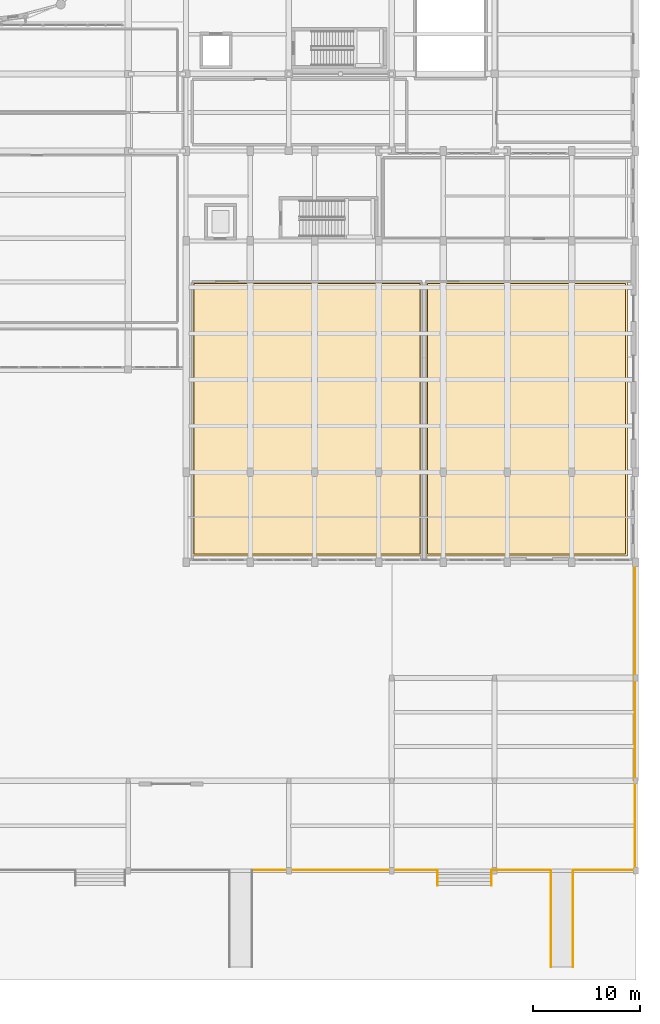
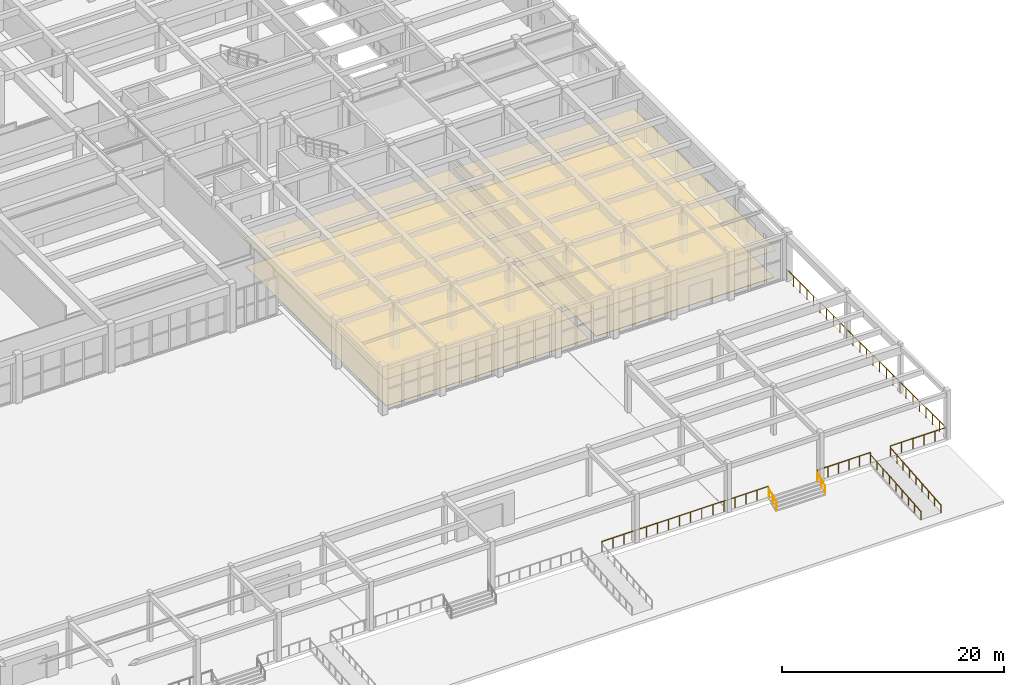
# One storey, part 95 of 98: 7 railings, 4 coverings.
"""IFC4 building model written with IfcOpenShell, lengths in metres."""

from ifc_helpers import new_model, si_unit, direction, frame, origin, origin_2d, place, context, subcontext, project, spatial, polyline, circle, outline, extrude, material, layer, layer_set, type_object, element, save


model = new_model("IFC4")

# Units and contexts
model_context = context("Model", 3, precision=1e-05, world=origin(), true_north=direction((0.0, 1.0)))
body_context = subcontext(model_context, "Body", "Model", "MODEL_VIEW")
ifc_project = project(units=[si_unit("LENGTHUNIT", "METRE"), si_unit("AREAUNIT", "SQUARE_METRE"), si_unit("VOLUMEUNIT", "CUBIC_METRE"), si_unit("PLANEANGLEUNIT", "RADIAN"), si_unit("MASSUNIT", "GRAM", prefix="KILO")], contexts=[model_context])

# Site, building, storey
site_placement = place(None, origin())
site = spatial("IfcSite", under=ifc_project, at=site_placement, CompositionType="ELEMENT")
building_placement = place(site_placement, origin())
building = spatial("IfcBuilding", under=site, at=building_placement, Name="Tarnavel Promenade Courthouse", CompositionType="ELEMENT")
storey_placement = place(building_placement, origin())
storey = spatial("IfcBuildingStorey", under=building, at=storey_placement, Name="L01", CompositionType="ELEMENT", Elevation=0.0)

# Railings
ifc_material_1 = material(Name="Carved Limestone and Bronze Terrace Balustrade", Category="masonry")
railing_type_1 = type_object("IfcRailingType", Name="Carved Limestone and Bronze Terrace Balustrade (RL-BAL-1150)", PredefinedType="BALUSTRADE", material=ifc_material_1)
railing_1_placement = place(storey_placement, frame((126.159912109375, 0.080078125, 0.0)))
element("IfcRailing", 1, at=railing_1_placement, inside=storey, type_object=railing_type_1, Name="South Promenade Plinth Edge Balustrade 09", PredefinedType="BALUSTRADE", context=body_context, shape_type="SweptSolid", body=[
    extrude(circle(Radius=0.02392578125, at=origin_2d()), frame((0.0, 0.0, 1.1259765625), z_axis=(1.0, 0.0, 0.0), x_axis=(0.0, 1.0, 0.0)), (0.0, 0.0, 1.0), 17.280029296875),
    extrude(circle(Radius=0.02099609375, at=origin_2d()), origin(), (0.0, 0.0, 1.0), 1.101806640625),
    extrude(circle(Radius=0.02099609375, at=origin_2d()), frame((1.152099609375, 0.0, 0.0)), (0.0, 0.0, 1.0), 1.101806640625),
    extrude(circle(Radius=0.02099609375, at=origin_2d()), frame((2.303955078125, 0.0, 0.0)), (0.0, 0.0, 1.0), 1.101806640625),
    extrude(circle(Radius=0.02099609375, at=origin_2d()), frame((3.4560546875, 0.0, 0.0)), (0.0, 0.0, 1.0), 1.101806640625),
    extrude(circle(Radius=0.02099609375, at=origin_2d()), frame((4.60791015625, 0.0, 0.0)), (0.0, 0.0, 1.0), 1.101806640625),
    extrude(circle(Radius=0.02099609375, at=origin_2d()), frame((5.760009765625, 0.0, 0.0)), (0.0, 0.0, 1.0), 1.101806640625),
    extrude(circle(Radius=0.02099609375, at=origin_2d()), frame((6.912109375, 0.0, 0.0)), (0.0, 0.0, 1.0), 1.101806640625),
    extrude(circle(Radius=0.02099609375, at=origin_2d()), frame((8.06396484375, 0.0, 0.0)), (0.0, 0.0, 1.0), 1.101806640625),
    extrude(circle(Radius=0.02099609375, at=origin_2d()), frame((9.216064453125, 0.0, 0.0)), (0.0, 0.0, 1.0), 1.101806640625),
    extrude(circle(Radius=0.02099609375, at=origin_2d()), frame((10.367919921875, 0.0, 0.0)), (0.0, 0.0, 1.0), 1.101806640625),
    extrude(circle(Radius=0.02099609375, at=origin_2d()), frame((11.52001953125, 0.0, 0.0)), (0.0, 0.0, 1.0), 1.101806640625),
    extrude(circle(Radius=0.02099609375, at=origin_2d()), frame((12.672119140625, 0.0, 0.0)), (0.0, 0.0, 1.0), 1.101806640625),
    extrude(circle(Radius=0.02099609375, at=origin_2d()), frame((13.823974609375, 0.0, 0.0)), (0.0, 0.0, 1.0), 1.101806640625),
    extrude(circle(Radius=0.02099609375, at=origin_2d()), frame((14.97607421875, 0.0, 0.0)), (0.0, 0.0, 1.0), 1.101806640625),
    extrude(circle(Radius=0.02099609375, at=origin_2d()), frame((16.1279296875, 0.0, 0.0)), (0.0, 0.0, 1.0), 1.101806640625),
    extrude(circle(Radius=0.02099609375, at=origin_2d()), frame((17.280029296875, 0.0, 0.0)), (0.0, 0.0, 1.0), 1.101806640625),
])
railing_2_placement = place(storey_placement, frame((148.56005859375, 0.080078125, 0.0)))
element("IfcRailing", 2, at=railing_2_placement, inside=storey, type_object=railing_type_1, Name="South Promenade Plinth Edge Balustrade 10", PredefinedType="BALUSTRADE", context=body_context, shape_type="SweptSolid", body=[
    extrude(circle(Radius=0.02392578125, at=origin_2d()), frame((0.0, 0.0, 1.1259765625), z_axis=(1.0, 0.0, 0.0), x_axis=(0.0, 1.0, 0.0)), (0.0, 0.0, 1.0), 5.47998046875),
    extrude(circle(Radius=0.02099609375, at=origin_2d()), origin(), (0.0, 0.0, 1.0), 1.101806640625),
    extrude(circle(Radius=0.02099609375, at=origin_2d()), frame((1.095947265625, 0.0, 0.0)), (0.0, 0.0, 1.0), 1.101806640625),
    extrude(circle(Radius=0.02099609375, at=origin_2d()), frame((2.19189453125, 0.0, 0.0)), (0.0, 0.0, 1.0), 1.101806640625),
    extrude(circle(Radius=0.02099609375, at=origin_2d()), frame((3.2880859375, 0.0, 0.0)), (0.0, 0.0, 1.0), 1.101806640625),
    extrude(circle(Radius=0.02099609375, at=origin_2d()), frame((4.384033203125, 0.0, 0.0)), (0.0, 0.0, 1.0), 1.101806640625),
    extrude(circle(Radius=0.02099609375, at=origin_2d()), frame((5.47998046875, 0.0, 0.0)), (0.0, 0.0, 1.0), 1.101806640625),
])
railing_3_placement = place(storey_placement, frame((156.159912109375, 0.080078125, 0.0)))
element("IfcRailing", 3, at=railing_3_placement, inside=storey, type_object=railing_type_1, Name="South-East Ceremonial Portico Edge Balustrade", PredefinedType="BALUSTRADE", context=body_context, shape_type="SweptSolid", body=[
    extrude(circle(Radius=0.02392578125, at=origin_2d()), frame((0.0, 0.0, 1.1259765625), z_axis=(1.0, 0.0, 0.0), x_axis=(0.0, 1.0, 0.0)), (0.0, 0.0, 1.0), 5.739990234375),
    extrude(circle(Radius=0.02392578125, at=origin_2d()), frame((5.739990234375, 0.0, 1.1259765625), z_axis=(0.0, 1.0, 0.0), x_axis=(-1.0, 0.0, 0.0)), (0.0, 0.0, 1.0), 28.619873046875),
    extrude(circle(Radius=0.02099609375, at=origin_2d()), origin(), (0.0, 0.0, 1.0), 1.101806640625),
    extrude(circle(Radius=0.02099609375, at=origin_2d()), frame((1.14794921875, 0.0, 0.0)), (0.0, 0.0, 1.0), 1.101806640625),
    extrude(circle(Radius=0.02099609375, at=origin_2d()), frame((2.2958984375, 0.0, 0.0)), (0.0, 0.0, 1.0), 1.101806640625),
    extrude(circle(Radius=0.02099609375, at=origin_2d()), frame((3.444091796875, 0.0, 0.0)), (0.0, 0.0, 1.0), 1.101806640625),
    extrude(circle(Radius=0.02099609375, at=origin_2d()), frame((4.592041015625, 0.0, 0.0)), (0.0, 0.0, 1.0), 1.101806640625),
    extrude(circle(Radius=0.02099609375, at=origin_2d()), frame((5.739990234375, 0.0, 0.0)), (0.0, 0.0, 1.0), 1.101806640625),
    extrude(circle(Radius=0.02099609375, at=origin_2d()), frame((5.739990234375, 1.1923828125, 0.0)), (0.0, 0.0, 1.0), 1.101806640625),
    extrude(circle(Radius=0.02099609375, at=origin_2d()), frame((5.739990234375, 2.385009765625, 0.0)), (0.0, 0.0, 1.0), 1.101806640625),
    extrude(circle(Radius=0.02099609375, at=origin_2d()), frame((5.739990234375, 3.577392578125, 0.0)), (0.0, 0.0, 1.0), 1.101806640625),
    extrude(circle(Radius=0.02099609375, at=origin_2d()), frame((5.739990234375, 4.77001953125, 0.0)), (0.0, 0.0, 1.0), 1.101806640625),
    extrude(circle(Radius=0.02099609375, at=origin_2d()), frame((5.739990234375, 5.96240234375, 0.0)), (0.0, 0.0, 1.0), 1.101806640625),
    extrude(circle(Radius=0.02099609375, at=origin_2d()), frame((5.739990234375, 7.155029296875, 0.0)), (0.0, 0.0, 1.0), 1.101806640625),
    extrude(circle(Radius=0.02099609375, at=origin_2d()), frame((5.739990234375, 8.347412109375, 0.0)), (0.0, 0.0, 1.0), 1.101806640625),
    extrude(circle(Radius=0.02099609375, at=origin_2d()), frame((5.739990234375, 9.5400390625, 0.0)), (0.0, 0.0, 1.0), 1.101806640625),
    extrude(circle(Radius=0.02099609375, at=origin_2d()), frame((5.739990234375, 10.732421875, 0.0)), (0.0, 0.0, 1.0), 1.101806640625),
    extrude(circle(Radius=0.02099609375, at=origin_2d()), frame((5.739990234375, 11.925048828125, 0.0)), (0.0, 0.0, 1.0), 1.101806640625),
    extrude(circle(Radius=0.02099609375, at=origin_2d()), frame((5.739990234375, 13.117431640625, 0.0)), (0.0, 0.0, 1.0), 1.101806640625),
    extrude(circle(Radius=0.02099609375, at=origin_2d()), frame((5.739990234375, 14.31005859375, 0.0)), (0.0, 0.0, 1.0), 1.101806640625),
    extrude(circle(Radius=0.02099609375, at=origin_2d()), frame((5.739990234375, 15.50244140625, 0.0)), (0.0, 0.0, 1.0), 1.101806640625),
    extrude(circle(Radius=0.02099609375, at=origin_2d()), frame((5.739990234375, 16.69482421875, 0.0)), (0.0, 0.0, 1.0), 1.101806640625),
    extrude(circle(Radius=0.02099609375, at=origin_2d()), frame((5.739990234375, 17.887451171875, 0.0)), (0.0, 0.0, 1.0), 1.101806640625),
    extrude(circle(Radius=0.02099609375, at=origin_2d()), frame((5.739990234375, 19.079833984375, 0.0)), (0.0, 0.0, 1.0), 1.101806640625),
    extrude(circle(Radius=0.02099609375, at=origin_2d()), frame((5.739990234375, 20.2724609375, 0.0)), (0.0, 0.0, 1.0), 1.101806640625),
    extrude(circle(Radius=0.02099609375, at=origin_2d()), frame((5.739990234375, 21.46484375, 0.0)), (0.0, 0.0, 1.0), 1.101806640625),
    extrude(circle(Radius=0.02099609375, at=origin_2d()), frame((5.739990234375, 22.657470703125, 0.0)), (0.0, 0.0, 1.0), 1.101806640625),
    extrude(circle(Radius=0.02099609375, at=origin_2d()), frame((5.739990234375, 23.849853515625, 0.0)), (0.0, 0.0, 1.0), 1.101806640625),
    extrude(circle(Radius=0.02099609375, at=origin_2d()), frame((5.739990234375, 25.04248046875, 0.0)), (0.0, 0.0, 1.0), 1.101806640625),
    extrude(circle(Radius=0.02099609375, at=origin_2d()), frame((5.739990234375, 26.23486328125, 0.0)), (0.0, 0.0, 1.0), 1.101806640625),
    extrude(circle(Radius=0.02099609375, at=origin_2d()), frame((5.739990234375, 27.427490234375, 0.0)), (0.0, 0.0, 1.0), 1.101806640625),
    extrude(circle(Radius=0.02099609375, at=origin_2d()), frame((5.739990234375, 28.619873046875, 0.0)), (0.0, 0.0, 1.0), 1.101806640625),
])

# Coverings
ifc_material_2 = material(Name="Engineered Smoked Oak Courtroom & Chambers Parquet")
ifc_layer_1 = layer(ifc_material_2, 0.031982421875)
ifc_layer_set_1 = layer_set([ifc_layer_1], Name="Engineered Smoked Oak Courtroom & Chambers Parquet")
covering_type_1 = type_object("IfcCoveringType", Name="Engineered Smoked Oak Courtroom & Chambers Parquet (COV-FLR-OAK-32)", PredefinedType="FLOORING", material=ifc_layer_set_1)
covering_1_placement = place(storey_placement, origin())
element("IfcCovering", 4, at=covering_1_placement, inside=storey, type_object=covering_type_1, Name="L01 Constitutional Hearing Courtroom Architectural Flooring 0006", PredefinedType="FLOORING", context=body_context, shape_type="SweptSolid", body=[
    extrude(outline(polyline([(120.75, 29.550048828125), (141.85009765625, 29.550048828125), (141.85009765625, 54.85009765625), (120.75, 54.85009765625), (120.75, 29.550048828125)])), origin(), (0.0, 0.0, 1.0), 0.031982421875),
])
ifc_material_3 = material(Name="Flamed Subarctic Granite Vestibule & Plinth Flooring", Category="masonry")
ifc_layer_2 = layer(ifc_material_3, 0.050048828125)
ifc_layer_set_2 = layer_set([ifc_layer_2], Name="Flamed Subarctic Granite Vestibule & Plinth Flooring")
covering_type_2 = type_object("IfcCoveringType", Name="Flamed Subarctic Granite Vestibule & Plinth Flooring (COV-FLR-GRN-50)", PredefinedType="FLOORING", material=ifc_layer_set_2)
covering_2_placement = place(storey_placement, origin())
element("IfcCovering", 5, at=covering_2_placement, inside=storey, type_object=covering_type_2, Name="L01 East Ceremonial Entrance Foyer Architectural Flooring 0007", PredefinedType="FLOORING", context=body_context, shape_type="SweptSolid", body=[
    extrude(outline(polyline([(142.550048828125, 29.550048828125), (161.050048828125, 29.550048828125), (161.050048828125, 54.85009765625), (142.550048828125, 54.85009765625), (142.550048828125, 29.550048828125)])), origin(), (0.0, 0.0, 1.0), 0.050048828125),
])

# Railings
ifc_material_4 = material(Name="Heated Brushed Bronze Exterior Ramp & Plinth Handrail")
railing_type_2 = type_object("IfcRailingType", Name="Heated Brushed Bronze Exterior Ramp & Plinth Handrail (RL-HND-0920)", PredefinedType="HANDRAIL", material=ifc_material_4)
for number, where, name in (
    (6, (143.47998046875, -1.360107421875, -0.60009765625), "ST-15 Heated Bronze Handrail W"),
    (7, (148.52001953125, -1.360107421875, -0.60009765625), "ST-15 Heated Bronze Handrail E"),
):
    element("IfcRailing", number, at=place(storey_placement, frame(where)), inside=storey, type_object=railing_type_2, Name=name, PredefinedType="HANDRAIL", context=body_context, shape_type="SweptSolid", body=[
        extrude(circle(Radius=0.02392578125, at=origin_2d()), frame((0.0, 0.0, 0.89599609375), z_axis=(0.0, 0.914905314696, 0.403668508979), x_axis=(-1.0, 0.0, 0.0)), (0.0, 0.0, 1.0), 1.486572265625),
        extrude(circle(Radius=0.02099609375, at=origin_2d()), origin(), (0.0, 0.0, 1.0), 0.871826171875),
        extrude(circle(Radius=0.02099609375, at=origin_2d()), frame((0.0, 0.68017578125, 0.300048828125)), (0.0, 0.0, 1.0), 0.871826171875),
        extrude(circle(Radius=0.02099609375, at=origin_2d()), frame((0.0, 1.360107421875, 0.60009765625)), (0.0, 0.0, 1.0), 0.871826171875),
    ])
for number, where, name in (
    (8, (154.06005859375, -9.0, -0.75), "RMP-04 Heated Bronze Ramp Handrail W"),
    (9, (156.139892578125, -9.0, -0.75), "RMP-04 Heated Bronze Ramp Handrail E"),
):
    element("IfcRailing", number, at=place(storey_placement, frame(where)), inside=storey, type_object=railing_type_2, Name=name, PredefinedType="HANDRAIL", context=body_context, shape_type="SweptSolid", body=[
        extrude(circle(Radius=0.02392578125, at=origin_2d()), frame((0.0, 0.0, 0.89599609375), z_axis=(0.0, 0.996583663068, 0.082589360731), x_axis=(-1.0, 0.0, 0.0)), (0.0, 0.0, 1.0), 9.0810546875),
        extrude(circle(Radius=0.02099609375, at=origin_2d()), origin(), (0.0, 0.0, 1.0), 0.871826171875),
        extrude(circle(Radius=0.02099609375, at=origin_2d()), frame((0.0, 1.13134765625, 0.09375)), (0.0, 0.0, 1.0), 0.871826171875),
        extrude(circle(Radius=0.02099609375, at=origin_2d()), frame((0.0, 2.262451171875, 0.1875)), (0.0, 0.0, 1.0), 0.871826171875),
        extrude(circle(Radius=0.02099609375, at=origin_2d()), frame((0.0, 3.393798828125, 0.28125)), (0.0, 0.0, 1.0), 0.871826171875),
        extrude(circle(Radius=0.02099609375, at=origin_2d()), frame((0.0, 4.52490234375, 0.375)), (0.0, 0.0, 1.0), 0.871826171875),
        extrude(circle(Radius=0.02099609375, at=origin_2d()), frame((0.0, 5.65625, 0.46875)), (0.0, 0.0, 1.0), 0.871826171875),
        extrude(circle(Radius=0.02099609375, at=origin_2d()), frame((0.0, 6.78759765625, 0.5625)), (0.0, 0.0, 1.0), 0.871826171875),
        extrude(circle(Radius=0.02099609375, at=origin_2d()), frame((0.0, 7.918701171875, 0.65625)), (0.0, 0.0, 1.0), 0.871826171875),
        extrude(circle(Radius=0.02099609375, at=origin_2d()), frame((0.0, 9.050048828125, 0.75)), (0.0, 0.0, 1.0), 0.871826171875),
    ])

# Coverings
ifc_material_5 = material(Name="Micro-Perforated Acoustic Mineral-Fibre Ceiling")
ifc_layer_3 = layer(ifc_material_5, 0.044921875)
ifc_layer_set_3 = layer_set([ifc_layer_3], Name="Micro-Perforated Acoustic Mineral-Fibre Ceiling")
covering_type_3 = type_object("IfcCoveringType", Name="Micro-Perforated Acoustic Mineral-Fibre Ceiling (COV-CLG-MIN-45)", PredefinedType="CEILING", material=ifc_layer_set_3)
covering_3_placement = place(storey_placement, frame((0.0, 0.0, 3.054931640625)))
element("IfcCovering", 10, at=covering_3_placement, inside=storey, type_object=covering_type_3, Name="L01 East Ceremonial Entrance Foyer Acoustic Ceiling 0007", PredefinedType="CEILING", context=body_context, shape_type="SweptSolid", body=[
    extrude(outline(polyline([(142.39990234375, 29.39990234375), (161.199951171875, 29.39990234375), (161.199951171875, 55.0), (142.39990234375, 55.0), (142.39990234375, 29.39990234375)])), origin(), (0.0, 0.0, 1.0), 0.045166015625),
])
ifc_material_6 = material(Name="Slatted Acoustic White Oak Baffle Ceiling")
ifc_layer_4 = layer(ifc_material_6, 0.06494140625)
ifc_layer_set_4 = layer_set([ifc_layer_4], Name="Slatted Acoustic White Oak Baffle Ceiling")
covering_type_4 = type_object("IfcCoveringType", Name="Slatted Acoustic White Oak Baffle Ceiling (COV-CLG-OAK-65)", PredefinedType="CEILING", material=ifc_layer_set_4)
covering_4_placement = place(storey_placement, frame((0.0, 0.0, 3.034912109375)))
element("IfcCovering", 11, at=covering_4_placement, inside=storey, type_object=covering_type_4, Name="L01 Constitutional Hearing Courtroom Acoustic Ceiling 0006", PredefinedType="CEILING", context=body_context, shape_type="SweptSolid", body=[
    extrude(outline(polyline([(120.60009765625, 29.39990234375), (142.0, 29.39990234375), (142.0, 55.0), (120.60009765625, 55.0), (120.60009765625, 29.39990234375)])), origin(), (0.0, 0.0, 1.0), 0.065185546875),
])

save(model, "model.ifc")
